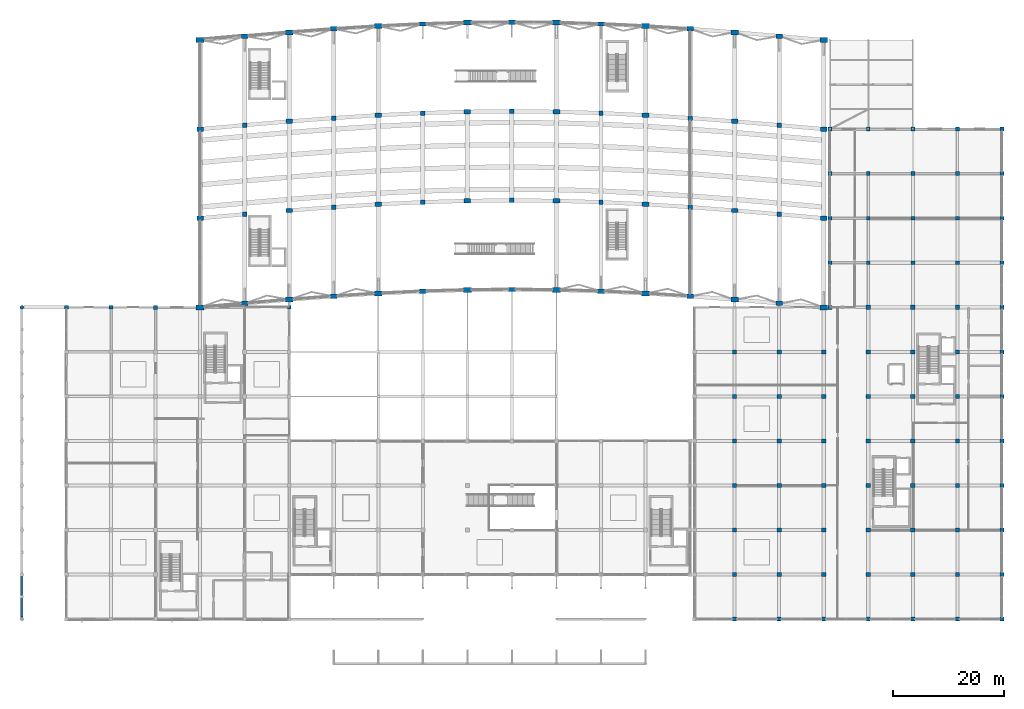
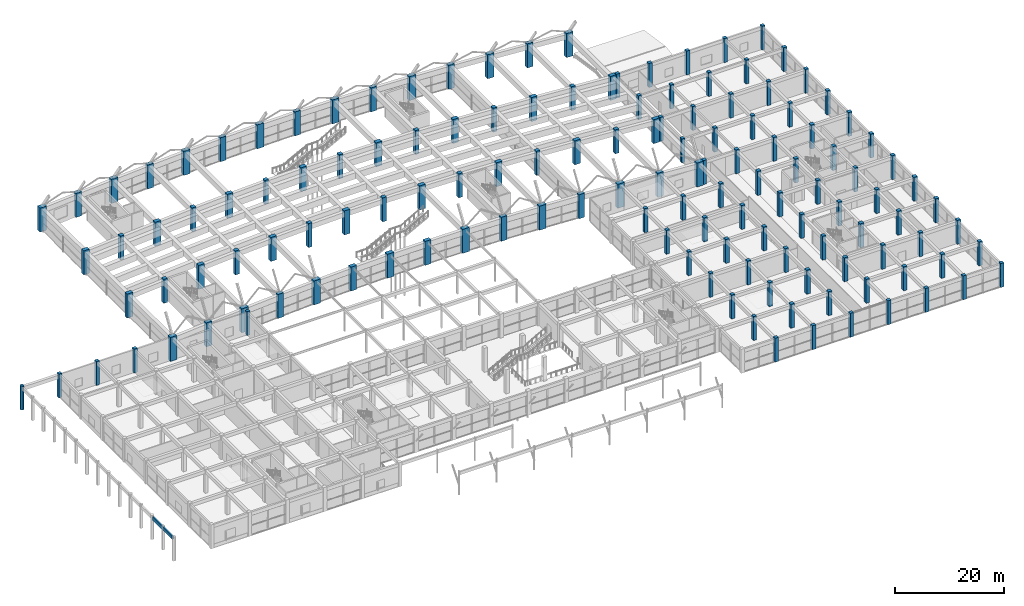
# One storey, part 8 of 69: 139 columns, 1 beam.
"""IFC4 building model written with IfcOpenShell, lengths in metres."""

from ifc_helpers import new_model, si_unit, direction, frame, origin, origin_2d, place, context, subcontext, project, spatial, rectangle, circle, extrude, material, material_profile, profile_set, type_object, element, save


model = new_model("IFC4")

# Units and contexts
model_context = context("Model", 3, precision=1e-05, world=origin(), true_north=direction((0.0, 1.0)))
body_context = subcontext(model_context, "Body", "Model", "MODEL_VIEW")
ifc_project = project(units=[si_unit("LENGTHUNIT", "METRE"), si_unit("AREAUNIT", "SQUARE_METRE"), si_unit("VOLUMEUNIT", "CUBIC_METRE"), si_unit("PLANEANGLEUNIT", "RADIAN"), si_unit("MASSUNIT", "GRAM", prefix="KILO")], contexts=[model_context])

# Site, building, storey
site_placement = place(None, origin())
site = spatial("IfcSite", under=ifc_project, at=site_placement, CompositionType="ELEMENT")
building_placement = place(site_placement, origin())
building = spatial("IfcBuilding", under=site, at=building_placement, Name="Kenh Van Central Station", CompositionType="ELEMENT")
storey_placement = place(building_placement, frame((0.0, 0.0, 5.39990234375)))
storey = spatial("IfcBuildingStorey", under=building, at=storey_placement, Name="L01", CompositionType="ELEMENT", Elevation=5.39990234375)

# Columns
ifc_material_1 = material(Name="Concrete C40/50", Category="concrete")
ifc_material_profile_1 = material_profile(ifc_material_1, rectangle(XDim=1.199951171875, YDim=0.800048828125, at=origin_2d()), Name="RC 1200x800")
ifc_profile_set_1 = profile_set([ifc_material_profile_1], Name="Concrete C40/50")
column_type_1 = type_object("IfcColumnType", Name="COL-PIER-1200x800", PredefinedType="COLUMN", material=ifc_profile_set_1)
for number, where, z_axis, x_axis, name in (
    (1, (32.0, 80.0, 0.0), (0.0, 0.0, 1.0), (1.0, 0.0, 0.0), "L01 column VP-00-1"),
    (2, (32.0, 96.0, 0.0), (0.0, 0.0, 1.0), (1.0, 0.0, 0.0), "L01 column VP-00-2"),
    (3, (40.0, 64.712158203125, 0.0), (0.0, 0.0, 1.0), (1.0, 0.0, 0.0), "L01 column VPI-01-0"),
    (4, (40.0, 112.712158203125, 0.0), (0.0, 0.0, 1.0), (1.0, 0.0, 0.0), "L01 column VPI-01-3"),
    (5, (48.0, 81.388427734375, 0.0), (0.0, 0.0, 1.0), (1.0, 0.0, 0.0), "L01 column VP-02-1"),
    (6, (48.0, 97.388427734375, 0.0), (0.0, 0.0, 1.0), (1.0, 0.0, 0.0), "L01 column VP-02-2"),
    (7, (56.0, 65.9951171875, 0.0), (0.0, 0.0, 1.0), (1.0, 0.0, 0.0), "L01 column VPI-03-0"),
    (8, (56.0, 113.9951171875, 0.0), (0.0, 0.0, 1.0), (1.0, 0.0, 0.0), "L01 column VPI-03-3"),
    (9, (64.0, 82.501953125, 0.0), (0.0, 0.0, 1.0), (1.0, 0.0, 0.0), "L01 column VP-04-1"),
    (10, (64.0, 98.501953125, 0.0), (0.0, 0.0, 1.0), (1.0, 0.0, 0.0), "L01 column VP-04-2"),
    (11, (72.0, 66.883056640625, 0.0), (0.0, 0.0, 1.0), (1.0, 0.0, 0.0), "L01 column VPI-05-0"),
    (12, (72.0, 114.883056640625, 0.0), (0.0, 0.0, 1.0), (1.0, 0.0, 0.0), "L01 column VPI-05-3"),
    (13, (80.0, 83.119873046875, 0.0), (0.0, 0.0, 1.0), (1.0, 0.0, 0.0), "L01 column VP-06-1"),
    (14, (80.0, 99.119873046875, 0.0), (0.0, 0.0, 1.0), (1.0, 0.0, 0.0), "L01 column VP-06-2"),
    (15, (88.0, 67.199951171875, 0.0), (0.0, 0.0, 1.0), (1.0, 0.0, 0.0), "L01 column VPI-07-0"),
    (16, (88.0, 115.199951171875, 0.0), (0.0, 0.0, 1.0), (1.0, 0.0, 0.0), "L01 column VPI-07-3"),
    (17, (96.0, 83.119873046875, 0.0), (0.0, 0.0, 1.0), (1.0, 0.0, 0.0), "L01 column VP-08-1"),
    (18, (96.0, 99.119873046875, 0.0), (0.0, 0.0, 1.0), (1.0, 0.0, 0.0), "L01 column VP-08-2"),
    (19, (104.0, 66.883056640625, 0.0), (0.0, 0.0, 1.0), (1.0, 0.0, 0.0), "L01 column VPI-09-0"),
    (20, (104.0, 114.883056640625, 0.0), (0.0, 0.0, 1.0), (1.0, 0.0, 0.0), "L01 column VPI-09-3"),
    (21, (112.0, 82.501953125, 0.0), (0.0, 0.0, 1.0), (1.0, 0.0, 0.0), "L01 column VP-10-1"),
    (22, (112.0, 98.501953125, 0.0), (0.0, 0.0, 1.0), (1.0, 0.0, 0.0), "L01 column VP-10-2"),
    (23, (120.0, 65.9951171875, 0.0), (0.0, 0.0, 1.0), (1.0, 0.0, 0.0), "L01 column VPI-11-0"),
    (24, (120.0, 113.9951171875, 0.0), (0.0, 0.0, 1.0), (1.0, 0.0, 0.0), "L01 column VPI-11-3"),
    (25, (128.0, 81.388427734375, 0.0), (0.0, 0.0, 1.0), (1.0, 0.0, 0.0), "L01 column VP-12-1"),
    (26, (128.0, 97.388427734375, 0.0), (0.0, 0.0, 1.0), (1.0, 0.0, 0.0), "L01 column VP-12-2"),
    (27, (136.0, 64.712158203125, 0.0), (0.0, 0.0, 1.0), (1.0, 0.0, 0.0), "L01 column VPI-13-0"),
    (28, (136.0, 112.712158203125, 0.0), (0.0, 0.0, 1.0), (1.0, 0.0, 0.0), "L01 column VPI-13-3"),
    (29, (144.0, 80.0, 0.0), (0.0, 0.0, 1.0), (1.0, 0.0, 0.0), "L01 column VP-14-1"),
    (30, (144.0, 96.0, 0.0), (0.0, 0.0, 1.0), (1.0, 0.0, 0.0), "L01 column VP-14-2"),
):
    element("IfcColumn", number, at=place(storey_placement, frame(where, z_axis=z_axis, x_axis=x_axis)), inside=storey, type_object=column_type_1, Name=name, PredefinedType="COLUMN", context=body_context, shape_type="SweptSolid", body=[
        extrude(rectangle(XDim=1.199951171875, YDim=0.800048828125, at=origin_2d()), origin(), (0.0, 0.0, 1.0), 5.400146484375),
    ])
ifc_material_profile_2 = material_profile(ifc_material_1, rectangle(XDim=1.39990234375, YDim=0.89990234375, at=origin_2d()), Name="RC 1400x900")
ifc_profile_set_2 = profile_set([ifc_material_profile_2], Name="Concrete C40/50")
column_type_2 = type_object("IfcColumnType", Name="COL-PIER-1400x900", PredefinedType="COLUMN", material=ifc_profile_set_2)
for number, where, z_axis, x_axis, name in (
    (31, (32.0, 64.0, 0.0), (0.0, 0.0, 1.0), (1.0, 0.0, 0.0), "L01 column VP-00-0"),
    (32, (32.0, 112.0, 0.0), (0.0, 0.0, 1.0), (1.0, 0.0, 0.0), "L01 column VP-00-3"),
    (33, (48.0, 65.388427734375, 0.0), (0.0, 0.0, 1.0), (1.0, 0.0, 0.0), "L01 column VP-02-0"),
    (34, (48.0, 113.388427734375, 0.0), (0.0, 0.0, 1.0), (1.0, 0.0, 0.0), "L01 column VP-02-3"),
    (35, (64.0, 66.501953125, 0.0), (0.0, 0.0, 1.0), (1.0, 0.0, 0.0), "L01 column VP-04-0"),
    (36, (64.0, 114.501953125, 0.0), (0.0, 0.0, 1.0), (1.0, 0.0, 0.0), "L01 column VP-04-3"),
    (37, (80.0, 67.119873046875, 0.0), (0.0, 0.0, 1.0), (1.0, 0.0, 0.0), "L01 column VP-06-0"),
    (38, (80.0, 115.119873046875, 0.0), (0.0, 0.0, 1.0), (1.0, 0.0, 0.0), "L01 column VP-06-3"),
    (39, (96.0, 67.119873046875, 0.0), (0.0, 0.0, 1.0), (1.0, 0.0, 0.0), "L01 column VP-08-0"),
    (40, (96.0, 115.119873046875, 0.0), (0.0, 0.0, 1.0), (1.0, 0.0, 0.0), "L01 column VP-08-3"),
    (41, (112.0, 66.501953125, 0.0), (0.0, 0.0, 1.0), (1.0, 0.0, 0.0), "L01 column VP-10-0"),
    (42, (112.0, 114.501953125, 0.0), (0.0, 0.0, 1.0), (1.0, 0.0, 0.0), "L01 column VP-10-3"),
    (43, (128.0, 65.388427734375, 0.0), (0.0, 0.0, 1.0), (1.0, 0.0, 0.0), "L01 column VP-12-0"),
    (44, (128.0, 113.388427734375, 0.0), (0.0, 0.0, 1.0), (1.0, 0.0, 0.0), "L01 column VP-12-3"),
    (45, (144.0, 64.0, 0.0), (0.0, 0.0, 1.0), (1.0, 0.0, 0.0), "L01 column VP-14-0"),
    (46, (144.0, 112.0, 0.0), (0.0, 0.0, 1.0), (1.0, 0.0, 0.0), "L01 column VP-14-3"),
):
    element("IfcColumn", number, at=place(storey_placement, frame(where, z_axis=z_axis, x_axis=x_axis)), inside=storey, type_object=column_type_2, Name=name, PredefinedType="COLUMN", context=body_context, shape_type="SweptSolid", body=[
        extrude(rectangle(XDim=1.39990234375, YDim=0.89990234375, at=origin_2d()), origin(), (0.0, 0.0, 1.0), 5.400146484375),
    ])
ifc_material_2 = material(Name="Concrete C35/45", Category="concrete")
ifc_material_profile_3 = material_profile(ifc_material_2, rectangle(XDim=0.64990234375, YDim=0.64990234375, at=origin_2d()), Name="RC 650x650")
ifc_profile_set_3 = profile_set([ifc_material_profile_3], Name="Concrete C35/45")
column_type_3 = type_object("IfcColumnType", Name="COL-RC-650x650", PredefinedType="COLUMN", material=ifc_profile_set_3)
for number, where, z_axis, x_axis, name in (
    (47, (8.0, 64.0, 0.0), (0.0, 0.0, 1.0), (1.0, 0.0, 0.0), "L01 column CW-008-064"),
    (48, (16.0, 64.0, 0.0), (0.0, 0.0, 1.0), (1.0, 0.0, 0.0), "L01 column CW-016-064"),
    (49, (48.0, 64.0, 0.0), (0.0, 0.0, 1.0), (1.0, 0.0, 0.0), "L01 column CWST-48-64"),
):
    element("IfcColumn", number, at=place(storey_placement, frame(where, z_axis=z_axis, x_axis=x_axis)), inside=storey, type_object=column_type_3, Name=name, PredefinedType="COLUMN", context=body_context, shape_type="SweptSolid", body=[
        extrude(rectangle(XDim=0.64990234375, YDim=0.64990234375, at=origin_2d()), origin(), (0.0, 0.0, 1.0), 5.400146484375),
    ])
ifc_material_profile_4 = material_profile(ifc_material_1, rectangle(XDim=0.699951171875, YDim=0.699951171875, at=origin_2d()), Name="RC 700x700")
ifc_profile_set_4 = profile_set([ifc_material_profile_4], Name="Concrete C40/50")
column_type_4 = type_object("IfcColumnType", Name="COL-RC-700x700", PredefinedType="COLUMN", material=ifc_profile_set_4)
for number, where, z_axis, x_axis, name in (
    (50, (24.0, 64.0, 0.0), (0.0, 0.0, 1.0), (1.0, 0.0, 0.0), "L01 column CW-024-064"),
    (51, (128.0, 8.0, 0.0), (0.0, 0.0, 1.0), (1.0, 0.0, 0.0), "L01 column CE-1280-008"),
    (52, (128.0, 16.0, 0.0), (0.0, 0.0, 1.0), (1.0, 0.0, 0.0), "L01 column CE-1280-016"),
    (53, (128.0, 24.0, 0.0), (0.0, 0.0, 1.0), (1.0, 0.0, 0.0), "L01 column CE-1280-024"),
    (54, (128.0, 32.0, 0.0), (0.0, 0.0, 1.0), (1.0, 0.0, 0.0), "L01 column CE-1280-032"),
    (55, (128.0, 40.0, 0.0), (0.0, 0.0, 1.0), (1.0, 0.0, 0.0), "L01 column CE-1280-040"),
    (56, (128.0, 48.0, 0.0), (0.0, 0.0, 1.0), (1.0, 0.0, 0.0), "L01 column CE-1280-048"),
    (57, (128.0, 56.0, 0.0), (0.0, 0.0, 1.0), (1.0, 0.0, 0.0), "L01 column CE-1280-056"),
    (58, (136.0, 8.0, 0.0), (0.0, 0.0, 1.0), (1.0, 0.0, 0.0), "L01 column CE-1360-008"),
    (59, (144.0, 8.0, 0.0), (0.0, 0.0, 1.0), (1.0, 0.0, 0.0), "L01 column CE-1440-008"),
    (60, (152.0, 8.0, 0.0), (0.0, 0.0, 1.0), (1.0, 0.0, 0.0), "L01 column CE-1520-008"),
    (61, (160.0, 8.0, 0.0), (0.0, 0.0, 1.0), (1.0, 0.0, 0.0), "L01 column CE-1600-008"),
    (62, (168.0, 8.0, 0.0), (0.0, 0.0, 1.0), (1.0, 0.0, 0.0), "L01 column CE-1680-008"),
    (63, (176.0, 8.0, 0.0), (0.0, 0.0, 1.0), (1.0, 0.0, 0.0), "L01 column CE-1760-008"),
    (64, (145.10009765625, 64.0, 0.0), (0.0, 0.0, 1.0), (1.0, 0.0, 0.0), "L01 column CN-1451-064"),
    (65, (145.10009765625, 72.0, 0.0), (0.0, 0.0, 1.0), (1.0, 0.0, 0.0), "L01 column CN-1451-072"),
    (66, (145.10009765625, 80.0, 0.0), (0.0, 0.0, 1.0), (1.0, 0.0, 0.0), "L01 column CN-1451-080"),
    (67, (145.10009765625, 88.0, 0.0), (0.0, 0.0, 1.0), (1.0, 0.0, 0.0), "L01 column CN-1451-088"),
    (68, (145.10009765625, 96.0, 0.0), (0.0, 0.0, 1.0), (1.0, 0.0, 0.0), "L01 column CN-1451-096"),
    (69, (152.0, 72.0, 0.0), (0.0, 0.0, 1.0), (1.0, 0.0, 0.0), "L01 column CN-1520-072"),
    (70, (152.0, 80.0, 0.0), (0.0, 0.0, 1.0), (1.0, 0.0, 0.0), "L01 column CN-1520-080"),
    (71, (152.0, 88.0, 0.0), (0.0, 0.0, 1.0), (1.0, 0.0, 0.0), "L01 column CN-1520-088"),
    (72, (152.0, 96.0, 0.0), (0.0, 0.0, 1.0), (1.0, 0.0, 0.0), "L01 column CN-1520-096"),
    (73, (160.0, 72.0, 0.0), (0.0, 0.0, 1.0), (1.0, 0.0, 0.0), "L01 column CN-1600-072"),
    (74, (160.0, 80.0, 0.0), (0.0, 0.0, 1.0), (1.0, 0.0, 0.0), "L01 column CN-1600-080"),
    (75, (160.0, 88.0, 0.0), (0.0, 0.0, 1.0), (1.0, 0.0, 0.0), "L01 column CN-1600-088"),
    (76, (160.0, 96.0, 0.0), (0.0, 0.0, 1.0), (1.0, 0.0, 0.0), "L01 column CN-1600-096"),
    (77, (168.0, 72.0, 0.0), (0.0, 0.0, 1.0), (1.0, 0.0, 0.0), "L01 column CN-1680-072"),
    (78, (168.0, 80.0, 0.0), (0.0, 0.0, 1.0), (1.0, 0.0, 0.0), "L01 column CN-1680-080"),
    (79, (168.0, 88.0, 0.0), (0.0, 0.0, 1.0), (1.0, 0.0, 0.0), "L01 column CN-1680-088"),
    (80, (168.0, 96.0, 0.0), (0.0, 0.0, 1.0), (1.0, 0.0, 0.0), "L01 column CN-1680-096"),
    (81, (176.0, 72.0, 0.0), (0.0, 0.0, 1.0), (1.0, 0.0, 0.0), "L01 column CN-1760-072"),
    (82, (176.0, 80.0, 0.0), (0.0, 0.0, 1.0), (1.0, 0.0, 0.0), "L01 column CN-1760-080"),
    (83, (176.0, 88.0, 0.0), (0.0, 0.0, 1.0), (1.0, 0.0, 0.0), "L01 column CN-1760-088"),
    (84, (176.0, 96.0, 0.0), (0.0, 0.0, 1.0), (1.0, 0.0, 0.0), "L01 column CN-1760-096"),
):
    element("IfcColumn", number, at=place(storey_placement, frame(where, z_axis=z_axis, x_axis=x_axis)), inside=storey, type_object=column_type_4, Name=name, PredefinedType="COLUMN", context=body_context, shape_type="SweptSolid", body=[
        extrude(rectangle(XDim=0.699951171875, YDim=0.699951171875, at=origin_2d()), origin(), (0.0, 0.0, 1.0), 5.400146484375),
    ])
ifc_material_profile_5 = material_profile(ifc_material_1, rectangle(XDim=0.75, YDim=0.75, at=origin_2d()), Name="RC 750x750")
ifc_profile_set_5 = profile_set([ifc_material_profile_5], Name="Concrete C40/50")
column_type_5 = type_object("IfcColumnType", Name="COL-RC-750x750", PredefinedType="COLUMN", material=ifc_profile_set_5)
for number, where, z_axis, x_axis, name in (
    (85, (136.0, 16.0, 0.0), (0.0, 0.0, 1.0), (1.0, 0.0, 0.0), "L01 column CE-1360-016"),
    (86, (136.0, 24.0, 0.0), (0.0, 0.0, 1.0), (1.0, 0.0, 0.0), "L01 column CE-1360-024"),
    (87, (136.0, 32.0, 0.0), (0.0, 0.0, 1.0), (1.0, 0.0, 0.0), "L01 column CE-1360-032"),
    (88, (136.0, 40.0, 0.0), (0.0, 0.0, 1.0), (1.0, 0.0, 0.0), "L01 column CE-1360-040"),
    (89, (136.0, 48.0, 0.0), (0.0, 0.0, 1.0), (1.0, 0.0, 0.0), "L01 column CE-1360-048"),
    (90, (136.0, 56.0, 0.0), (0.0, 0.0, 1.0), (1.0, 0.0, 0.0), "L01 column CE-1360-056"),
    (91, (144.0, 16.0, 0.0), (0.0, 0.0, 1.0), (1.0, 0.0, 0.0), "L01 column CE-1440-016"),
    (92, (144.0, 24.0, 0.0), (0.0, 0.0, 1.0), (1.0, 0.0, 0.0), "L01 column CE-1440-024"),
    (93, (144.0, 32.0, 0.0), (0.0, 0.0, 1.0), (1.0, 0.0, 0.0), "L01 column CE-1440-032"),
    (94, (144.0, 40.0, 0.0), (0.0, 0.0, 1.0), (1.0, 0.0, 0.0), "L01 column CE-1440-040"),
    (95, (144.0, 48.0, 0.0), (0.0, 0.0, 1.0), (1.0, 0.0, 0.0), "L01 column CE-1440-048"),
    (96, (144.0, 56.0, 0.0), (0.0, 0.0, 1.0), (1.0, 0.0, 0.0), "L01 column CE-1440-056"),
    (97, (152.0, 16.0, 0.0), (0.0, 0.0, 1.0), (1.0, 0.0, 0.0), "L01 column CE-1520-016"),
    (98, (152.0, 24.0, 0.0), (0.0, 0.0, 1.0), (1.0, 0.0, 0.0), "L01 column CE-1520-024"),
    (99, (152.0, 32.0, 0.0), (0.0, 0.0, 1.0), (1.0, 0.0, 0.0), "L01 column CE-1520-032"),
    (100, (152.0, 40.0, 0.0), (0.0, 0.0, 1.0), (1.0, 0.0, 0.0), "L01 column CE-1520-040"),
    (101, (152.0, 48.0, 0.0), (0.0, 0.0, 1.0), (1.0, 0.0, 0.0), "L01 column CE-1520-048"),
    (102, (152.0, 56.0, 0.0), (0.0, 0.0, 1.0), (1.0, 0.0, 0.0), "L01 column CE-1520-056"),
    (103, (152.0, 64.0, 0.0), (0.0, 0.0, 1.0), (1.0, 0.0, 0.0), "L01 column CE-1520-064"),
    (104, (160.0, 16.0, 0.0), (0.0, 0.0, 1.0), (1.0, 0.0, 0.0), "L01 column CE-1600-016"),
    (105, (160.0, 24.0, 0.0), (0.0, 0.0, 1.0), (1.0, 0.0, 0.0), "L01 column CE-1600-024"),
    (106, (160.0, 32.0, 0.0), (0.0, 0.0, 1.0), (1.0, 0.0, 0.0), "L01 column CE-1600-032"),
    (107, (160.0, 40.0, 0.0), (0.0, 0.0, 1.0), (1.0, 0.0, 0.0), "L01 column CE-1600-040"),
    (108, (160.0, 48.0, 0.0), (0.0, 0.0, 1.0), (1.0, 0.0, 0.0), "L01 column CE-1600-048"),
    (109, (160.0, 56.0, 0.0), (0.0, 0.0, 1.0), (1.0, 0.0, 0.0), "L01 column CE-1600-056"),
    (110, (160.0, 64.0, 0.0), (0.0, 0.0, 1.0), (1.0, 0.0, 0.0), "L01 column CE-1600-064"),
    (111, (168.0, 16.0, 0.0), (0.0, 0.0, 1.0), (1.0, 0.0, 0.0), "L01 column CE-1680-016"),
    (112, (168.0, 24.0, 0.0), (0.0, 0.0, 1.0), (1.0, 0.0, 0.0), "L01 column CE-1680-024"),
    (113, (168.0, 32.0, 0.0), (0.0, 0.0, 1.0), (1.0, 0.0, 0.0), "L01 column CE-1680-032"),
    (114, (168.0, 40.0, 0.0), (0.0, 0.0, 1.0), (1.0, 0.0, 0.0), "L01 column CE-1680-040"),
    (115, (168.0, 48.0, 0.0), (0.0, 0.0, 1.0), (1.0, 0.0, 0.0), "L01 column CE-1680-048"),
    (116, (168.0, 56.0, 0.0), (0.0, 0.0, 1.0), (1.0, 0.0, 0.0), "L01 column CE-1680-056"),
    (117, (168.0, 64.0, 0.0), (0.0, 0.0, 1.0), (1.0, 0.0, 0.0), "L01 column CE-1680-064"),
    (118, (176.0, 16.0, 0.0), (0.0, 0.0, 1.0), (1.0, 0.0, 0.0), "L01 column CE-1760-016"),
    (119, (176.0, 24.0, 0.0), (0.0, 0.0, 1.0), (1.0, 0.0, 0.0), "L01 column CE-1760-024"),
    (120, (176.0, 32.0, 0.0), (0.0, 0.0, 1.0), (1.0, 0.0, 0.0), "L01 column CE-1760-032"),
    (121, (176.0, 40.0, 0.0), (0.0, 0.0, 1.0), (1.0, 0.0, 0.0), "L01 column CE-1760-040"),
    (122, (176.0, 48.0, 0.0), (0.0, 0.0, 1.0), (1.0, 0.0, 0.0), "L01 column CE-1760-048"),
    (123, (176.0, 56.0, 0.0), (0.0, 0.0, 1.0), (1.0, 0.0, 0.0), "L01 column CE-1760-056"),
    (124, (176.0, 64.0, 0.0), (0.0, 0.0, 1.0), (1.0, 0.0, 0.0), "L01 column CE-1760-064"),
):
    element("IfcColumn", number, at=place(storey_placement, frame(where, z_axis=z_axis, x_axis=x_axis)), inside=storey, type_object=column_type_5, Name=name, PredefinedType="COLUMN", context=body_context, shape_type="SweptSolid", body=[
        extrude(rectangle(XDim=0.75, YDim=0.75, at=origin_2d()), origin(), (0.0, 0.0, 1.0), 5.400146484375),
    ])
ifc_material_profile_6 = material_profile(ifc_material_1, rectangle(XDim=0.800048828125, YDim=0.800048828125, at=origin_2d()), Name="RC 800x800")
ifc_profile_set_6 = profile_set([ifc_material_profile_6], Name="Concrete C40/50")
column_type_6 = type_object("IfcColumnType", Name="COL-RC-800x800", PredefinedType="COLUMN", material=ifc_profile_set_6)
for number, where, z_axis, x_axis, name in (
    (125, (40.0, 80.712158203125, 0.0), (0.0, 0.0, 1.0), (1.0, 0.0, 0.0), "L01 column VP-01-1"),
    (126, (40.0, 96.712158203125, 0.0), (0.0, 0.0, 1.0), (1.0, 0.0, 0.0), "L01 column VP-01-2"),
    (127, (56.0, 81.9951171875, 0.0), (0.0, 0.0, 1.0), (1.0, 0.0, 0.0), "L01 column VP-03-1"),
    (128, (56.0, 97.9951171875, 0.0), (0.0, 0.0, 1.0), (1.0, 0.0, 0.0), "L01 column VP-03-2"),
    (129, (72.0, 82.883056640625, 0.0), (0.0, 0.0, 1.0), (1.0, 0.0, 0.0), "L01 column VP-05-1"),
    (130, (72.0, 98.883056640625, 0.0), (0.0, 0.0, 1.0), (1.0, 0.0, 0.0), "L01 column VP-05-2"),
    (131, (88.0, 83.199951171875, 0.0), (0.0, 0.0, 1.0), (1.0, 0.0, 0.0), "L01 column VP-07-1"),
    (132, (88.0, 99.199951171875, 0.0), (0.0, 0.0, 1.0), (1.0, 0.0, 0.0), "L01 column VP-07-2"),
    (133, (104.0, 82.883056640625, 0.0), (0.0, 0.0, 1.0), (1.0, 0.0, 0.0), "L01 column VP-09-1"),
    (134, (104.0, 98.883056640625, 0.0), (0.0, 0.0, 1.0), (1.0, 0.0, 0.0), "L01 column VP-09-2"),
    (135, (120.0, 81.9951171875, 0.0), (0.0, 0.0, 1.0), (1.0, 0.0, 0.0), "L01 column VP-11-1"),
    (136, (120.0, 97.9951171875, 0.0), (0.0, 0.0, 1.0), (1.0, 0.0, 0.0), "L01 column VP-11-2"),
    (137, (136.0, 80.712158203125, 0.0), (0.0, 0.0, 1.0), (1.0, 0.0, 0.0), "L01 column VP-13-1"),
    (138, (136.0, 96.712158203125, 0.0), (0.0, 0.0, 1.0), (1.0, 0.0, 0.0), "L01 column VP-13-2"),
):
    element("IfcColumn", number, at=place(storey_placement, frame(where, z_axis=z_axis, x_axis=x_axis)), inside=storey, type_object=column_type_6, Name=name, PredefinedType="COLUMN", context=body_context, shape_type="SweptSolid", body=[
        extrude(rectangle(XDim=0.800048828125, YDim=0.800048828125, at=origin_2d()), origin(), (0.0, 0.0, 1.0), 5.400146484375),
    ])
ifc_material_profile_7 = material_profile(ifc_material_1, circle(Radius=0.35009765625, at=origin_2d()), Name="RC D700")
ifc_profile_set_7 = profile_set([ifc_material_profile_7], Name="Concrete C40/50")
column_type_7 = type_object("IfcColumnType", Name="COL-RC-D700", PredefinedType="COLUMN", material=ifc_profile_set_7)
column_placement = place(storey_placement, frame((0.0, 64.0, 0.0), z_axis=(0.0, 0.0, 1.0), x_axis=(1.0, 0.0, 0.0)))
element("IfcColumn", 139, at=column_placement, inside=storey, type_object=column_type_7, Name="L01 column CW-000-064", PredefinedType="COLUMN", context=body_context, shape_type="SweptSolid", body=[
    extrude(circle(Radius=0.35009765625, at=origin_2d()), origin(), (0.0, 0.0, 1.0), 5.400146484375),
])

# Beam
ifc_material_profile_8 = material_profile(ifc_material_2, rectangle(XDim=0.35009765625, YDim=0.699951171875, at=origin_2d()), Name="RC 350x700")
ifc_profile_set_8 = profile_set([ifc_material_profile_8], Name="Concrete C35/45")
beam_type = type_object("IfcBeamType", Name="SPD-RC-350x700", PredefinedType="SPANDREL", material=ifc_profile_set_8)
beam_placement = place(storey_placement, frame((0.0, 8.340087890625, 4.830078125), z_axis=(0.0, 1.0, 0.0), x_axis=(-1.0, 0.0, 0.0)))
element("IfcBeam", 140, at=beam_placement, inside=storey, type_object=beam_type, Name="L01 beam 0757", PredefinedType="SPANDREL", context=body_context, shape_type="SweptSolid", body=[
    extrude(rectangle(XDim=0.35009765625, YDim=0.699951171875, at=origin_2d()), origin(), (0.0, 0.0, 1.0), 7.31982421875),
])

save(model, "model.ifc")
